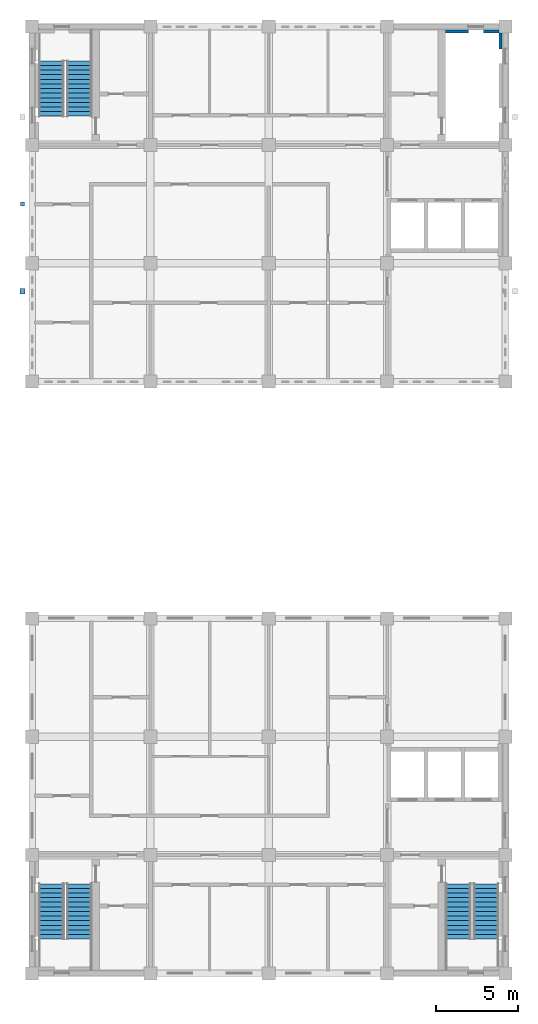
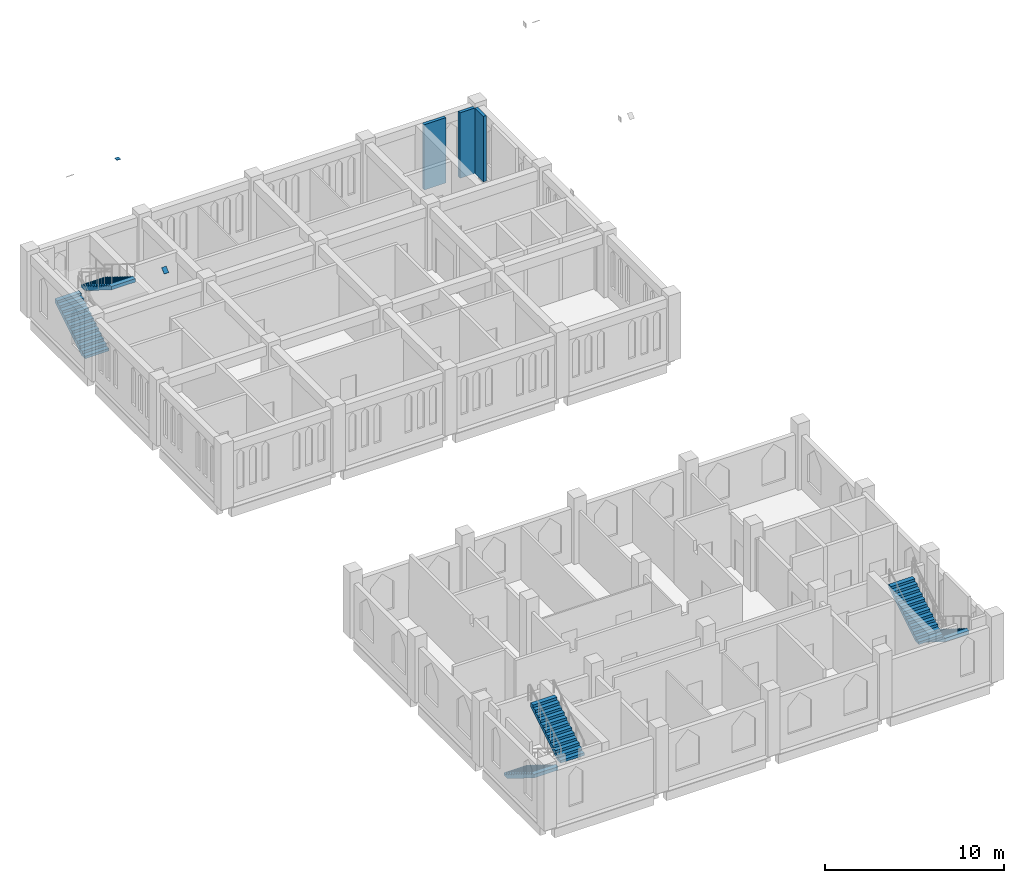
# One storey, part 10 of 13: 6 stair flights, 3 walls, 2 discrete accessories, 3 elements without a shape of their own.
"""IFC4 building model written with IfcOpenShell, lengths in metres."""

from ifc_helpers import new_model, si_unit, direction, frame, frame_2d, origin, origin_2d, place, context, subcontext, project, spatial, polyline, rectangle, outline, extrude, material, layer, layer_set, type_object, element, aggregate, save


model = new_model("IFC4")

# Units and contexts
model_context = context("Model", 3, precision=1e-05, world=origin(), true_north=direction((0.0, 1.0)))
body_context = subcontext(model_context, "Body", "Model", "MODEL_VIEW")
ifc_project = project(units=[si_unit("LENGTHUNIT", "METRE"), si_unit("AREAUNIT", "SQUARE_METRE"), si_unit("VOLUMEUNIT", "CUBIC_METRE"), si_unit("PLANEANGLEUNIT", "RADIAN"), si_unit("MASSUNIT", "GRAM", prefix="KILO")], contexts=[model_context])

# Site, building, storey
site_placement = place(None, origin())
site = spatial("IfcSite", under=ifc_project, at=site_placement, CompositionType="ELEMENT")
building_placement = place(site_placement, origin())
building = spatial("IfcBuilding", under=site, at=building_placement, Name="Silangan Lancet Faculty of Sciences", CompositionType="ELEMENT")
storey_placement = place(building_placement, frame((0.0, 0.0, 49.800048828125)))
storey = spatial("IfcBuildingStorey", under=building, at=storey_placement, Name="L10", CompositionType="ELEMENT", Elevation=49.800048828125)

# Walls
ifc_material_1 = material(Name="Concrete C40/50", Category="concrete")
ifc_layer = layer(ifc_material_1, 0.199951171875)
ifc_layer_set = layer_set([ifc_layer], Name="Concrete C40/50")
wall_type = type_object("IfcWallType", Name="TURRET LINING WALL RC 200", PredefinedType="SHEAR", material=ifc_layer_set)
wall_1_placement = place(storey_placement, frame((28.5, 56.25, -0.25), z_axis=(0.0, 0.0, 1.0), x_axis=(0.0, 1.0, 0.0)))
element("IfcWall", 1, at=wall_1_placement, inside=storey, type_object=wall_type, Name="WALL-L10-NT-B-WL-3", PredefinedType="SHEAR", context=body_context, shape_type="SweptSolid", body=[
    extrude(rectangle(XDim=0.949951171875, YDim=0.199951171875, at=frame_2d((0.47509765625, 0.0))), origin(), (0.0, 0.0, 1.0), 4.449951171875),
])
wall_2_placement = place(storey_placement, frame((25.14990234375, 57.300048828125, -0.25), z_axis=(0.0, 0.0, 1.0), x_axis=(1.0, 0.0, 0.0)))
element("IfcWall", 2, at=wall_2_placement, inside=storey, type_object=wall_type, Name="WALL-L10-NT-B-WLD", PredefinedType="SHEAR", context=body_context, shape_type="SweptSolid", body=[
    extrude(rectangle(XDim=1.400146484375, YDim=0.199951171875, at=frame_2d((0.7001953125, 0.0))), origin(), (0.0, 0.0, 1.0), 4.449951171875),
])
wall_3_placement = place(storey_placement, frame((27.449951171875, 57.300048828125, -0.25), z_axis=(0.0, 0.0, 1.0), x_axis=(1.0, 0.0, 0.0)))
element("IfcWall", 3, at=wall_3_placement, inside=storey, type_object=wall_type, Name="WALL-L10-NT-B-WLD-2", PredefinedType="SHEAR", context=body_context, shape_type="SweptSolid", body=[
    extrude(rectangle(XDim=0.949951171875, YDim=0.199951171875, at=frame_2d((0.47509765625, 0.0))), origin(), (0.0, 0.0, 1.0), 4.449951171875),
])

# Stair, stair flights
ifc_material_2 = material(Name="Concrete C40/50", Category="concrete")
stair_type = type_object("IfcStairType", Name="TURRET STAIR 1550 TWO-FLIGHT", PredefinedType="HALF_TURN_STAIR", material=ifc_material_2)
stair_1_placement = place(storey_placement, origin())
stair_1 = element("IfcStair", 4, at=stair_1_placement, inside=storey, type_object=stair_type, Name="NT-A stair L10", PredefinedType="HALF_TURN_STAIR")
ifc_material_3 = material(Name="Concrete C40/50", Category="concrete")
stair_flight_type = type_object("IfcStairFlightType", Name="TURRET STAIR FLIGHT 1550", PredefinedType="STRAIGHT", material=ifc_material_3)
stair_flight_1_placement = place(storey_placement, frame((1.175048828125, 52.14990234375, 0.0), z_axis=(0.0, 0.0, 1.0), x_axis=(0.0, 1.0, 0.0)))
stair_flight_1 = element("IfcStairFlight", 5, at=stair_flight_1_placement, type_object=stair_flight_type, Name="STR3 flight 1", NumberOfRisers=13, NumberOfTreads=12, PredefinedType="STRAIGHT", RiserHeight=0.173076923, TreadLength=0.28, context=body_context, shape_type="SweptSolid", body=[
    extrude(outline(polyline([(0.0, 0.0), (0.0, 0.173095703125), (0.280029296875, 0.173095703125), (0.280029296875, 0.34619140625), (0.56005859375, 0.34619140625), (0.56005859375, 0.519287109375), (0.840087890625, 0.519287109375), (0.840087890625, 0.6923828125), (1.1201171875, 0.6923828125), (1.1201171875, 0.865478515625), (1.39990234375, 0.865478515625), (1.39990234375, 1.03857421875), (1.679931640625, 1.03857421875), (1.679931640625, 1.21142578125), (1.9599609375, 1.21142578125), (1.9599609375, 1.384521484375), (2.239990234375, 1.384521484375), (2.239990234375, 1.5576171875), (2.52001953125, 1.5576171875), (2.52001953125, 1.730712890625), (2.800048828125, 1.730712890625), (2.800048828125, 1.90380859375), (3.080078125, 1.90380859375), (3.080078125, 2.076904296875), (3.360107421875, 2.076904296875), (3.360107421875, 2.25), (3.360107421875, 1.841796875), (0.38037109375, 0.0), (0.0, 0.0)])), frame((0.0, 0.77490234375, 0.0), z_axis=(0.0, -1.0, 0.0), x_axis=(1.0, 0.0, 0.0)), (0.0, 0.0, 1.0), 1.550048828125),
])
stair_flight_2_placement = place(storey_placement, frame((2.875, 55.510009765625, 2.25), z_axis=(0.0, 0.0, 1.0), x_axis=(0.0, -1.0, 0.0)))
stair_flight_2 = element("IfcStairFlight", 6, at=stair_flight_2_placement, type_object=stair_flight_type, Name="STR3 flight 2", NumberOfRisers=13, NumberOfTreads=12, PredefinedType="STRAIGHT", RiserHeight=0.173076923, TreadLength=0.28, context=body_context, shape_type="SweptSolid", body=[
    extrude(outline(polyline([(0.0, 0.0), (0.0, 0.173095703125), (0.280029296875, 0.173095703125), (0.280029296875, 0.34619140625), (0.56005859375, 0.34619140625), (0.56005859375, 0.519287109375), (0.840087890625, 0.519287109375), (0.840087890625, 0.6923828125), (1.1201171875, 0.6923828125), (1.1201171875, 0.865478515625), (1.39990234375, 0.865478515625), (1.39990234375, 1.03857421875), (1.679931640625, 1.03857421875), (1.679931640625, 1.21142578125), (1.9599609375, 1.21142578125), (1.9599609375, 1.384521484375), (2.239990234375, 1.384521484375), (2.239990234375, 1.5576171875), (2.52001953125, 1.5576171875), (2.52001953125, 1.730712890625), (2.800048828125, 1.730712890625), (2.800048828125, 1.90380859375), (3.080078125, 1.90380859375), (3.080078125, 2.076904296875), (3.360107421875, 2.076904296875), (3.360107421875, 2.25), (3.360107421875, 1.841796875), (0.38037109375, 0.0), (0.0, 0.0)])), frame((0.0, 0.77490234375, 0.0), z_axis=(0.0, -1.0, 0.0), x_axis=(1.0, 0.0, 0.0)), (0.0, 0.0, 1.0), 1.550048828125),
])
aggregate(stair_1, [stair_flight_1, stair_flight_2])

stair_2_placement = place(storey_placement, origin())
stair_2 = element("IfcStair", 7, at=stair_2_placement, inside=storey, type_object=stair_type, Name="ST-A stair L10", PredefinedType="HALF_TURN_STAIR")
stair_flight_3_placement = place(storey_placement, frame((1.175048828125, 5.449951171875, 0.0), z_axis=(0.0, 0.0, 1.0), x_axis=(0.0, -1.0, 0.0)))
stair_flight_3 = element("IfcStairFlight", 8, at=stair_flight_3_placement, type_object=stair_flight_type, Name="STR1 flight 1", NumberOfRisers=13, NumberOfTreads=12, PredefinedType="STRAIGHT", RiserHeight=0.173076923, TreadLength=0.28, context=body_context, shape_type="SweptSolid", body=[
    extrude(outline(polyline([(0.0, 0.0), (0.0, 0.173095703125), (0.280029296875, 0.173095703125), (0.280029296875, 0.34619140625), (0.56005859375, 0.34619140625), (0.56005859375, 0.519287109375), (0.840087890625, 0.519287109375), (0.840087890625, 0.6923828125), (1.1201171875, 0.6923828125), (1.1201171875, 0.865478515625), (1.39990234375, 0.865478515625), (1.39990234375, 1.03857421875), (1.679931640625, 1.03857421875), (1.679931640625, 1.21142578125), (1.9599609375, 1.21142578125), (1.9599609375, 1.384521484375), (2.239990234375, 1.384521484375), (2.239990234375, 1.5576171875), (2.52001953125, 1.5576171875), (2.52001953125, 1.730712890625), (2.800048828125, 1.730712890625), (2.800048828125, 1.90380859375), (3.080078125, 1.90380859375), (3.080078125, 2.076904296875), (3.360107421875, 2.076904296875), (3.360107421875, 2.25), (3.360107421875, 1.841796875), (0.38037109375, 0.0), (0.0, 0.0)])), frame((0.0, 0.77490234375, 0.0), z_axis=(0.0, -1.0, 0.0), x_axis=(1.0, 0.0, 0.0)), (0.0, 0.0, 1.0), 1.550048828125),
])
stair_flight_4_placement = place(storey_placement, frame((2.875, 2.090087890625, 2.25), z_axis=(0.0, 0.0, 1.0), x_axis=(0.0, 1.0, 0.0)))
stair_flight_4 = element("IfcStairFlight", 9, at=stair_flight_4_placement, type_object=stair_flight_type, Name="STR1 flight 2", NumberOfRisers=13, NumberOfTreads=12, PredefinedType="STRAIGHT", RiserHeight=0.173076923, TreadLength=0.28, context=body_context, shape_type="SweptSolid", body=[
    extrude(outline(polyline([(0.0, 0.0), (0.0, 0.173095703125), (0.280029296875, 0.173095703125), (0.280029296875, 0.34619140625), (0.56005859375, 0.34619140625), (0.56005859375, 0.519287109375), (0.840087890625, 0.519287109375), (0.840087890625, 0.6923828125), (1.1201171875, 0.6923828125), (1.1201171875, 0.865478515625), (1.39990234375, 0.865478515625), (1.39990234375, 1.03857421875), (1.679931640625, 1.03857421875), (1.679931640625, 1.21142578125), (1.9599609375, 1.21142578125), (1.9599609375, 1.384521484375), (2.239990234375, 1.384521484375), (2.239990234375, 1.5576171875), (2.52001953125, 1.5576171875), (2.52001953125, 1.730712890625), (2.800048828125, 1.730712890625), (2.800048828125, 1.90380859375), (3.080078125, 1.90380859375), (3.080078125, 2.076904296875), (3.360107421875, 2.076904296875), (3.360107421875, 2.25), (3.360107421875, 1.841796875), (0.38037109375, 0.0), (0.0, 0.0)])), frame((0.0, 0.77490234375, 0.0), z_axis=(0.0, -1.0, 0.0), x_axis=(1.0, 0.0, 0.0)), (0.0, 0.0, 1.0), 1.550048828125),
])
aggregate(stair_2, [stair_flight_3, stair_flight_4])

stair_3_placement = place(storey_placement, origin())
stair_3 = element("IfcStair", 10, at=stair_3_placement, inside=storey, type_object=stair_type, Name="ST-B stair L10", PredefinedType="HALF_TURN_STAIR")
stair_flight_5_placement = place(storey_placement, frame((27.625, 5.449951171875, 0.0), z_axis=(0.0, 0.0, 1.0), x_axis=(0.0, -1.0, 0.0)))
stair_flight_5 = element("IfcStairFlight", 11, at=stair_flight_5_placement, type_object=stair_flight_type, Name="STR2 flight 1", NumberOfRisers=13, NumberOfTreads=12, PredefinedType="STRAIGHT", RiserHeight=0.173076923, TreadLength=0.28, context=body_context, shape_type="SweptSolid", body=[
    extrude(outline(polyline([(0.0, 0.0), (0.0, 0.173095703125), (0.280029296875, 0.173095703125), (0.280029296875, 0.34619140625), (0.56005859375, 0.34619140625), (0.56005859375, 0.519287109375), (0.840087890625, 0.519287109375), (0.840087890625, 0.6923828125), (1.1201171875, 0.6923828125), (1.1201171875, 0.865478515625), (1.39990234375, 0.865478515625), (1.39990234375, 1.03857421875), (1.679931640625, 1.03857421875), (1.679931640625, 1.21142578125), (1.9599609375, 1.21142578125), (1.9599609375, 1.384521484375), (2.239990234375, 1.384521484375), (2.239990234375, 1.5576171875), (2.52001953125, 1.5576171875), (2.52001953125, 1.730712890625), (2.800048828125, 1.730712890625), (2.800048828125, 1.90380859375), (3.080078125, 1.90380859375), (3.080078125, 2.076904296875), (3.360107421875, 2.076904296875), (3.360107421875, 2.25), (3.360107421875, 1.841796875), (0.38037109375, 0.0), (0.0, 0.0)])), frame((0.0, 0.77490234375, 0.0), z_axis=(0.0, -1.0, 0.0), x_axis=(1.0, 0.0, 0.0)), (0.0, 0.0, 1.0), 1.550048828125),
])
stair_flight_6_placement = place(storey_placement, frame((25.925048828125, 2.090087890625, 2.25), z_axis=(0.0, 0.0, 1.0), x_axis=(0.0, 1.0, 0.0)))
stair_flight_6 = element("IfcStairFlight", 12, at=stair_flight_6_placement, type_object=stair_flight_type, Name="STR2 flight 2", NumberOfRisers=13, NumberOfTreads=12, PredefinedType="STRAIGHT", RiserHeight=0.173076923, TreadLength=0.28, context=body_context, shape_type="SweptSolid", body=[
    extrude(outline(polyline([(0.0, 0.0), (0.0, 0.173095703125), (0.280029296875, 0.173095703125), (0.280029296875, 0.34619140625), (0.56005859375, 0.34619140625), (0.56005859375, 0.519287109375), (0.840087890625, 0.519287109375), (0.840087890625, 0.6923828125), (1.1201171875, 0.6923828125), (1.1201171875, 0.865478515625), (1.39990234375, 0.865478515625), (1.39990234375, 1.03857421875), (1.679931640625, 1.03857421875), (1.679931640625, 1.21142578125), (1.9599609375, 1.21142578125), (1.9599609375, 1.384521484375), (2.239990234375, 1.384521484375), (2.239990234375, 1.5576171875), (2.52001953125, 1.5576171875), (2.52001953125, 1.730712890625), (2.800048828125, 1.730712890625), (2.800048828125, 1.90380859375), (3.080078125, 1.90380859375), (3.080078125, 2.076904296875), (3.360107421875, 2.076904296875), (3.360107421875, 2.25), (3.360107421875, 1.841796875), (0.38037109375, 0.0), (0.0, 0.0)])), frame((0.0, 0.77490234375, 0.0), z_axis=(0.0, -1.0, 0.0), x_axis=(1.0, 0.0, 0.0)), (0.0, 0.0, 1.0), 1.550048828125),
])
aggregate(stair_3, [stair_flight_5, stair_flight_6])

# Discrete accessories
ifc_material_4 = material(Name="Steel STKR400", Category="steel")
discrete_accessory_1_placement = place(storey_placement, frame((-0.574951171875, 46.800048828125, 17.197021484375), z_axis=(0.0, 0.0, 1.0), x_axis=(1.0, 0.0, 0.0)))
element("IfcDiscreteAccessory", 13, at=discrete_accessory_1_placement, inside=storey, material=ifc_material_4, Name="Gable truss king post cap", ObjectType="END CAP", PredefinedType="USERDEFINED", context=body_context, shape_type="SweptSolid", body=[
    extrude(rectangle(XDim=0.25, YDim=0.25, at=origin_2d()), origin(), (0.0, 0.0, 1.0), 0.02001953125),
])
ifc_material_5 = material(Name="Steel STK400", Category="steel")
discrete_accessory_2_placement = place(storey_placement, frame((-0.733642578125, 41.346923828125, 12.721435546875), z_axis=(0.0, -0.643421121985, 0.765512416479), x_axis=(1.0, 0.0, 0.0)))
element("IfcDiscreteAccessory", 14, at=discrete_accessory_2_placement, inside=storey, material=ifc_material_5, Name="Gable truss strut head plate A", ObjectType="CONNECTION PLATE", PredefinedType="USERDEFINED", context=body_context, shape_type="SweptSolid", body=[
    extrude(outline(polyline([(0.0, 0.0), (0.300048828125, 0.0), (0.300048828125, 0.3999312580168197), (0.0, 0.3999312580168197), (0.0, 0.0)])), origin(), (0.0, 0.0, -1.0), 0.02001953125),
])

save(model, "model.ifc")
